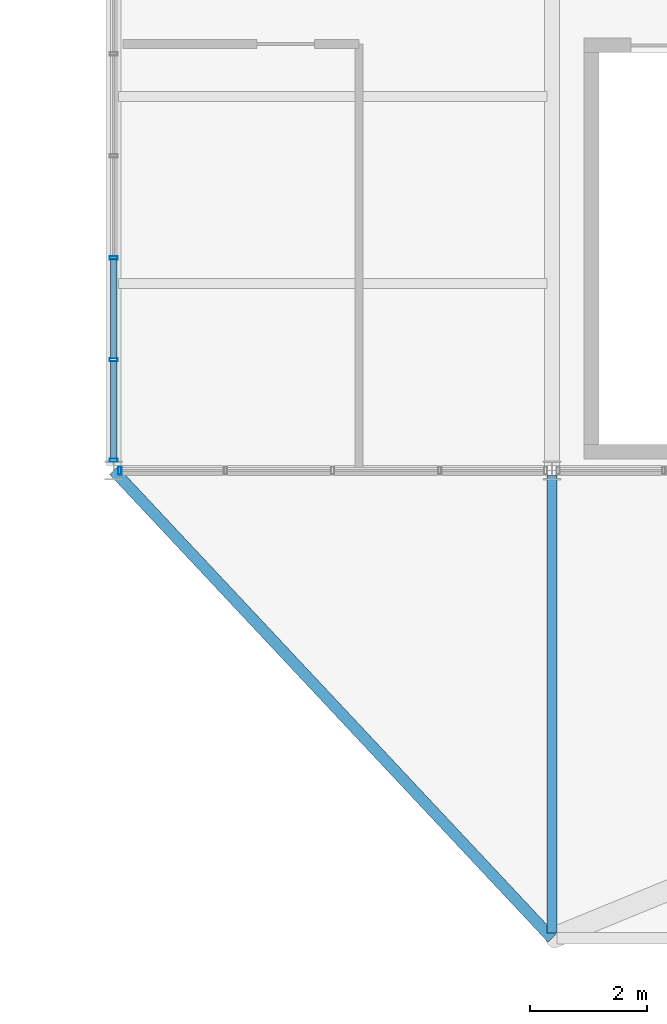
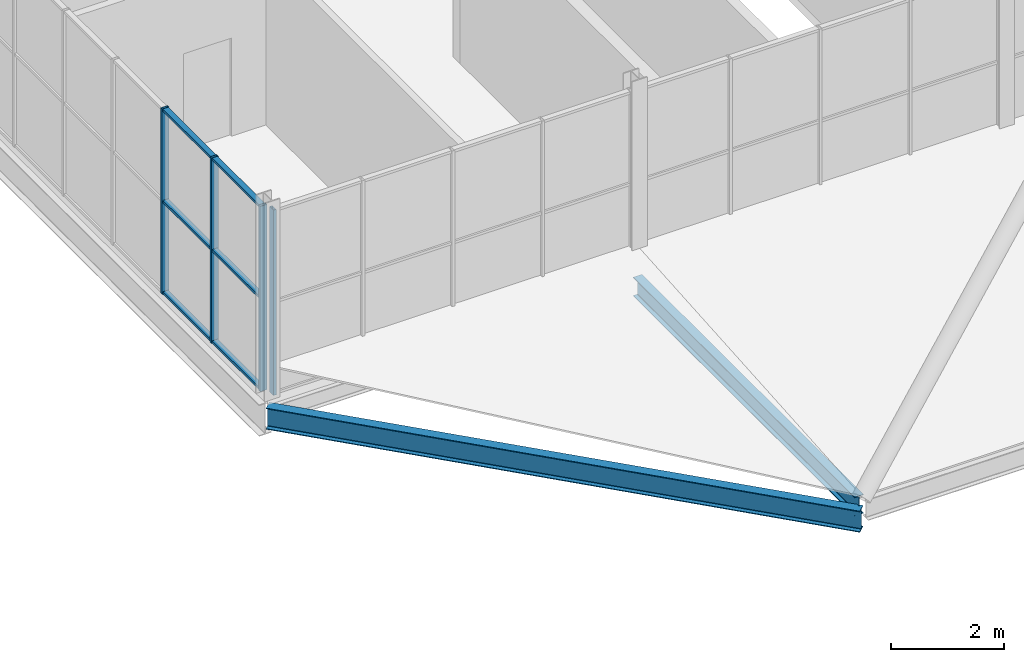
# One storey, part 170 of 324: 10 members, 2 beams, 2 elements without a shape of their own.
"""IFC4 building model written with IfcOpenShell, lengths in metres."""

from ifc_helpers import new_model, si_unit, direction, frame, origin, origin_2d, place, context, subcontext, project, spatial, hollow_rectangle, i_section, extrude, material, layer, layer_set, material_profile, profile_set, type_object, element, aggregate, save


model = new_model("IFC4")

# Units and contexts
model_context = context("Model", 3, precision=1e-05, world=origin(), true_north=direction((0.0, 1.0)))
body_context = subcontext(model_context, "Body", "Model", "MODEL_VIEW")
ifc_project = project(units=[si_unit("LENGTHUNIT", "METRE"), si_unit("AREAUNIT", "SQUARE_METRE"), si_unit("VOLUMEUNIT", "CUBIC_METRE"), si_unit("PLANEANGLEUNIT", "RADIAN"), si_unit("MASSUNIT", "GRAM", prefix="KILO")], contexts=[model_context])

# Site, building, storey
site_placement = place(None, origin())
site = spatial("IfcSite", under=ifc_project, at=site_placement, CompositionType="ELEMENT")
building_placement = place(site_placement, origin())
building = spatial("IfcBuilding", under=site, at=building_placement, Name="Solvenia Promenade Tram Depot", CompositionType="ELEMENT")
storey_placement = place(building_placement, frame((0.0, 0.0, 4.5)))
storey = spatial("IfcBuildingStorey", under=building, at=storey_placement, Name="L01", CompositionType="ELEMENT", Elevation=4.5)

# Beam
ifc_material_1 = material(Name="Structural steel ASTM A992 Gr. 50", Category="steel")
ifc_material_profile_1 = material_profile(ifc_material_1, i_section(OverallWidth=0.178955078125, OverallDepth=0.409912109375, WebThickness=0.0087890625, FlangeThickness=0.014404296875, FilletRadius=0.011962890625, at=origin_2d()), Name="W410x67", Category="steel")
ifc_profile_set_1 = profile_set([ifc_material_profile_1], Name="Structural steel ASTM A992 Gr. 50")
beam_type_1 = type_object("IfcBeamType", Name="Beam-W410x67", PredefinedType="BEAM", material=ifc_profile_set_1)
beam_1_placement = place(storey_placement, frame((142.5, 0.0849609375, -0.205078125), z_axis=(0.0, 1.0, 0.0), x_axis=(-1.0, 0.0, 0.0)))
element("IfcBeam", 1, at=beam_1_placement, inside=storey, type_object=beam_type_1, Name="Colonnade Canopy Cross Beam BM-L01-0949", PredefinedType="BEAM", context=body_context, shape_type="SweptSolid", body=[
    extrude(i_section(OverallWidth=0.178955078125, OverallDepth=0.409912109375, WebThickness=0.0087890625, FlangeThickness=0.014404296875, FilletRadius=0.011962890625, at=origin_2d()), origin(), (0.0, 0.0, 1.0), 7.830078125),
])

# Curtain wall, member
ifc_material_2 = material(Name="Anodized aluminium AW-6063 T6", Category="aluminium")
ifc_layer = layer(ifc_material_2, 0.179931640625, Name="Anodized aluminium AW-6063 T6", Category="aluminium")
ifc_layer_set = layer_set([ifc_layer], Name="Anodized aluminium AW-6063 T6")
curtain_wall_type = type_object("IfcCurtainWallType", Name="CW-Prom-1800", PredefinedType="NOTDEFINED", material=ifc_layer_set)
curtain_wall_1_placement = place(storey_placement, origin())
curtain_wall_1 = element("IfcCurtainWall", 2, at=curtain_wall_1_placement, inside=storey, type_object=curtain_wall_type, Name="Curtain Wall CW-V5S-L1-01", PredefinedType="NOTDEFINED")
ifc_material_profile_2 = material_profile(ifc_material_2, hollow_rectangle(XDim=0.139892578125, YDim=0.054931640625, WallThickness=0.00390625, at=origin_2d()), Name="ALU-M4", Category="aluminium")
ifc_profile_set_2 = profile_set([ifc_material_profile_2], Name="Anodized aluminium AW-6063 T6")
member_type_1 = type_object("IfcMemberType", Name="CWM-Mullion-4", PredefinedType="MULLION", material=ifc_profile_set_2)
member_1_placement = place(storey_placement, frame((135.107421875, 8.0, 0.0), z_axis=(0.0, 0.0, 1.0), x_axis=(0.0, 1.0, 0.0)))
member_1 = element("IfcMember", 3, at=member_1_placement, type_object=member_type_1, Name="CW-9 mullion 1", PredefinedType="MULLION", context=body_context, shape_type="SweptSolid", body=[
    extrude(hollow_rectangle(XDim=0.139892578125, YDim=0.054931640625, WallThickness=0.00390625, at=origin_2d()), origin(), (0.0, 0.0, 1.0), 4.0),
])
aggregate(curtain_wall_1, [member_1])

# Curtain wall, members
curtain_wall_2_placement = place(storey_placement, origin())
curtain_wall_2 = element("IfcCurtainWall", 4, at=curtain_wall_2_placement, inside=storey, type_object=curtain_wall_type, Name="Curtain Wall CW-V5W-L01", PredefinedType="NOTDEFINED")
member_2_placement = place(storey_placement, frame((135.0, 8.177490234375, 0.0), z_axis=(0.0, 0.0, 1.0), x_axis=(-1.0, 0.0, 0.0)))
member_2 = element("IfcMember", 5, at=member_2_placement, type_object=member_type_1, Name="CW-9 mullion 1", PredefinedType="MULLION", context=body_context, shape_type="SweptSolid", body=[
    extrude(hollow_rectangle(XDim=0.139892578125, YDim=0.054931640625, WallThickness=0.00390625, at=origin_2d()), origin(), (0.0, 0.0, 1.0), 4.0),
])
member_3_placement = place(storey_placement, frame((135.0, 9.89453125, 0.0), z_axis=(0.0, 0.0, 1.0), x_axis=(-1.0, 0.0, 0.0)))
member_3 = element("IfcMember", 6, at=member_3_placement, type_object=member_type_1, Name="CW-9 mullion 2", PredefinedType="MULLION", context=body_context, shape_type="SweptSolid", body=[
    extrude(hollow_rectangle(XDim=0.139892578125, YDim=0.054931640625, WallThickness=0.00390625, at=origin_2d()), origin(), (0.0, 0.0, 1.0), 4.0),
])
member_4_placement = place(storey_placement, frame((135.0, 11.638916015625, 0.0), z_axis=(0.0, 0.0, 1.0), x_axis=(-1.0, 0.0, 0.0)))
member_4 = element("IfcMember", 7, at=member_4_placement, type_object=member_type_1, Name="CW-9 mullion 3", PredefinedType="MULLION", context=body_context, shape_type="SweptSolid", body=[
    extrude(hollow_rectangle(XDim=0.139892578125, YDim=0.054931640625, WallThickness=0.00390625, at=origin_2d()), origin(), (0.0, 0.0, 1.0), 4.0),
])
ifc_material_profile_3 = material_profile(ifc_material_2, hollow_rectangle(XDim=0.110107421875, YDim=0.054931640625, WallThickness=0.00390625, at=origin_2d()), Name="ALU-T4", Category="aluminium")
ifc_profile_set_3 = profile_set([ifc_material_profile_3], Name="Anodized aluminium AW-6063 T6")
member_type_2 = type_object("IfcMemberType", Name="CWT-Transom-4", PredefinedType="USERDEFINED", material=ifc_profile_set_3)
member_5_placement = place(storey_placement, frame((135.0, 8.205078125, 0.027587890625), z_axis=(0.0, 1.0, 0.0), x_axis=(-1.0, 0.0, 0.0)))
member_5 = element("IfcMember", 8, at=member_5_placement, type_object=member_type_2, Name="CW-9 transom 1.1", ObjectType="TRANSOM", PredefinedType="USERDEFINED", context=body_context, shape_type="SweptSolid", body=[
    extrude(hollow_rectangle(XDim=0.110107421875, YDim=0.054931640625, WallThickness=0.00390625, at=origin_2d()), origin(), (0.0, 0.0, 1.0), 1.661865234375),
])
member_6_placement = place(storey_placement, frame((135.0, 8.205078125, 2.0), z_axis=(0.0, 1.0, 0.0), x_axis=(-1.0, 0.0, 0.0)))
member_6 = element("IfcMember", 9, at=member_6_placement, type_object=member_type_2, Name="CW-9 transom 1.2", ObjectType="TRANSOM", PredefinedType="USERDEFINED", context=body_context, shape_type="SweptSolid", body=[
    extrude(hollow_rectangle(XDim=0.110107421875, YDim=0.054931640625, WallThickness=0.00390625, at=origin_2d()), origin(), (0.0, 0.0, 1.0), 1.661865234375),
])
member_7_placement = place(storey_placement, frame((135.0, 8.205078125, 3.972412109375), z_axis=(0.0, 1.0, 0.0), x_axis=(-1.0, 0.0, 0.0)))
member_7 = element("IfcMember", 10, at=member_7_placement, type_object=member_type_2, Name="CW-9 transom 1.3", ObjectType="TRANSOM", PredefinedType="USERDEFINED", context=body_context, shape_type="SweptSolid", body=[
    extrude(hollow_rectangle(XDim=0.110107421875, YDim=0.054931640625, WallThickness=0.00390625, at=origin_2d()), origin(), (0.0, 0.0, 1.0), 1.661865234375),
])
member_8_placement = place(storey_placement, frame((135.0, 9.921875, 0.027587890625), z_axis=(0.0, 1.0, 0.0), x_axis=(-1.0, 0.0, 0.0)))
member_8 = element("IfcMember", 11, at=member_8_placement, type_object=member_type_2, Name="CW-9 transom 2.1", ObjectType="TRANSOM", PredefinedType="USERDEFINED", context=body_context, shape_type="SweptSolid", body=[
    extrude(hollow_rectangle(XDim=0.110107421875, YDim=0.054931640625, WallThickness=0.00390625, at=origin_2d()), origin(), (0.0, 0.0, 1.0), 1.689453125),
])
member_9_placement = place(storey_placement, frame((135.0, 9.921875, 2.0), z_axis=(0.0, 1.0, 0.0), x_axis=(-1.0, 0.0, 0.0)))
member_9 = element("IfcMember", 12, at=member_9_placement, type_object=member_type_2, Name="CW-9 transom 2.2", ObjectType="TRANSOM", PredefinedType="USERDEFINED", context=body_context, shape_type="SweptSolid", body=[
    extrude(hollow_rectangle(XDim=0.110107421875, YDim=0.054931640625, WallThickness=0.00390625, at=origin_2d()), origin(), (0.0, 0.0, 1.0), 1.689453125),
])
member_10_placement = place(storey_placement, frame((135.0, 9.921875, 3.972412109375), z_axis=(0.0, 1.0, 0.0), x_axis=(-1.0, 0.0, 0.0)))
member_10 = element("IfcMember", 13, at=member_10_placement, type_object=member_type_2, Name="CW-9 transom 2.3", ObjectType="TRANSOM", PredefinedType="USERDEFINED", context=body_context, shape_type="SweptSolid", body=[
    extrude(hollow_rectangle(XDim=0.110107421875, YDim=0.054931640625, WallThickness=0.00390625, at=origin_2d()), origin(), (0.0, 0.0, 1.0), 1.689453125),
])
aggregate(curtain_wall_2, [member_2, member_3, member_4, member_5, member_6, member_7, member_8, member_9, member_10])

# Beam
ifc_material_profile_4 = material_profile(ifc_material_1, i_section(OverallWidth=0.19091796875, OverallDepth=0.4599609375, WebThickness=0.010009765625, FlangeThickness=0.01611328125, FilletRadius=0.012939453125, at=origin_2d()), Name="W460x82", Category="steel")
ifc_profile_set_4 = profile_set([ifc_material_profile_4], Name="Structural steel ASTM A992 Gr. 50")
beam_type_2 = type_object("IfcBeamType", Name="Spandrel-W460x82", PredefinedType="SPANDREL", material=ifc_profile_set_4)
beam_2_placement = place(storey_placement, frame((135.0, 8.0, -0.449951171875), z_axis=(0.683941128881, -0.72953720414, 0.0), x_axis=(0.72953720414, 0.683941128881, 0.0)))
element("IfcBeam", 14, at=beam_2_placement, inside=storey, type_object=beam_type_2, Name="Colonnade Prow Edge Girder BM-L01-0957", PredefinedType="SPANDREL", context=body_context, shape_type="SweptSolid", body=[
    extrude(i_section(OverallWidth=0.19091796875, OverallDepth=0.4599609375, WebThickness=0.010009765625, FlangeThickness=0.01611328125, FilletRadius=0.012939453125, at=origin_2d()), origin(), (0.0, 0.0, 1.0), 10.9658203125),
])

save(model, "model.ifc")
